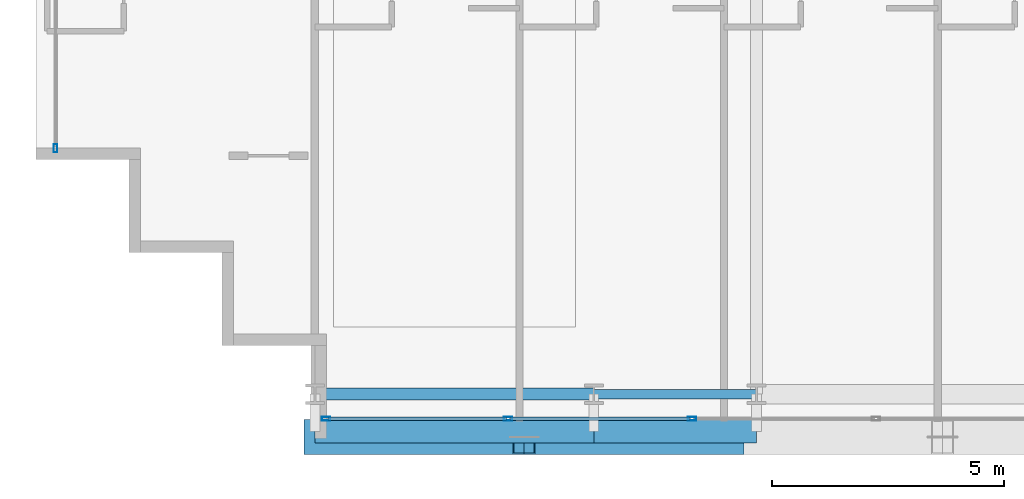
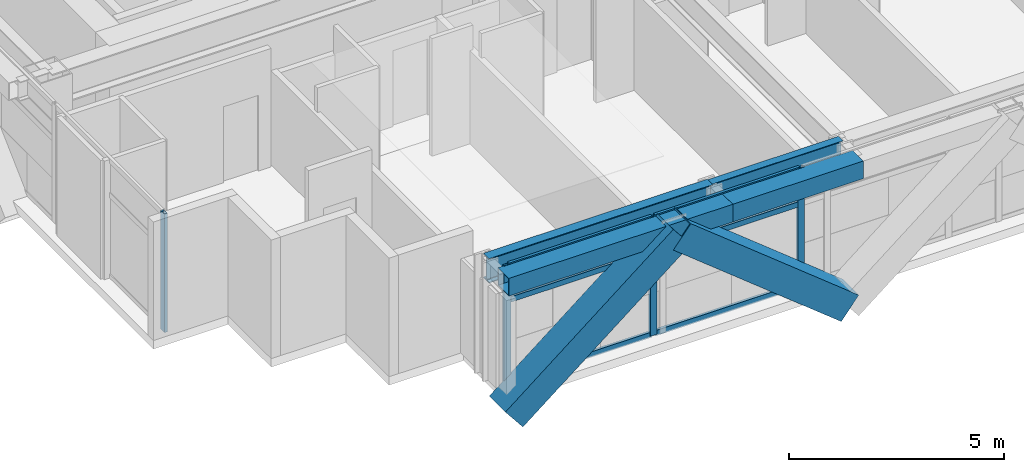
# One storey, part 2 of 36: 12 members, 4 beams, 2 elements without a shape of their own.
"""IFC4 building model written with IfcOpenShell, lengths in metres."""

from ifc_helpers import new_model, si_unit, direction, frame, origin, origin_2d, place, context, subcontext, project, spatial, hollow_rectangle, i_section, extrude, source, transform, mapped, material, layer, layer_set, material_profile, profile_set, type_object, element, aggregate, save


model = new_model("IFC4")

# Units and contexts
model_context = context("Model", 3, precision=1e-05, world=origin(), true_north=direction((0.0, 1.0)))
body_context = subcontext(model_context, "Body", "Model", "MODEL_VIEW")
ifc_project = project(units=[si_unit("LENGTHUNIT", "METRE"), si_unit("AREAUNIT", "SQUARE_METRE"), si_unit("VOLUMEUNIT", "CUBIC_METRE"), si_unit("PLANEANGLEUNIT", "RADIAN"), si_unit("MASSUNIT", "GRAM", prefix="KILO")], contexts=[model_context])

# Site, building, storey
site_placement = place(None, origin())
site = spatial("IfcSite", under=ifc_project, at=site_placement, CompositionType="ELEMENT")
building_placement = place(site_placement, origin())
building = spatial("IfcBuilding", under=site, at=building_placement, Name="Ocotamira Hotel", CompositionType="ELEMENT")
storey_placement = place(building_placement, frame((0.0, 0.0, 97.199951171875)))
storey = spatial("IfcBuildingStorey", under=building, at=storey_placement, Name="L23", CompositionType="ELEMENT", Elevation=97.199951171875)

# Beams
ifc_material_1 = material(Name="Steel ASTM A992 Grade 50", Category="steel")
ifc_material_profile_1 = material_profile(ifc_material_1, i_section(OverallWidth=0.256103515625, OverallDepth=0.693115234375, WebThickness=0.014404296875, FlangeThickness=0.023681640625, FilletRadius=0.01611328125, at=origin_2d()), Name="W27X114")
ifc_profile_set_1 = profile_set([ifc_material_profile_1], Name="Steel ASTM A992 Grade 50")
beam_type_1 = type_object("IfcBeamType", Name="BM-PRIM-W27X114", PredefinedType="BEAM", material=ifc_profile_set_1)
shared_shape_1 = source(origin(), body_context, "Body", "SweptSolid", [
    extrude(i_section(OverallWidth=0.256103515625, OverallDepth=0.693115234375, WebThickness=0.014404296875, FlangeThickness=0.023681640625, FilletRadius=0.01611328125, at=origin_2d()), origin(), (0.0, 0.0, 1.0), 6.0),
])
beam_1_placement = place(storey_placement, frame((14.0, 2.949951171875, 3.013427734375), z_axis=(1.0, 0.0, 0.0), x_axis=(0.0, 1.0, 0.0)))
element("IfcBeam", 1, at=beam_1_placement, inside=storey, type_object=beam_type_1, Name="L23 Girder Y2.95 X14-20", PredefinedType="BEAM", context=body_context, shape_type="MappedRepresentation", body=[
    mapped(shared_shape_1, transform((0.0, 0.0, 0.0), scale=1.0)),
])
ifc_material_profile_2 = material_profile(ifc_material_1, i_section(OverallWidth=0.2099609375, OverallDepth=0.537109375, WebThickness=0.010986328125, FlangeThickness=0.017333984375, FilletRadius=0.012939453125, at=origin_2d()), Name="W21X68")
ifc_profile_set_2 = profile_set([ifc_material_profile_2], Name="Steel ASTM A992 Grade 50")
beam_type_2 = type_object("IfcBeamType", Name="BM-SEC-W21X68", PredefinedType="JOIST", material=ifc_profile_set_2)
shared_shape_2 = source(origin(), body_context, "Body", "SweptSolid", [
    extrude(i_section(OverallWidth=0.2099609375, OverallDepth=0.537109375, WebThickness=0.010986328125, FlangeThickness=0.017333984375, FilletRadius=0.012939453125, at=origin_2d()), origin(), (0.0, 0.0, 1.0), 3.5),
])
beam_2_placement = place(storey_placement, frame((20.0, 2.949951171875, 3.091552734375), z_axis=(1.0, 0.0, 0.0), x_axis=(0.0, 1.0, 0.0)))
element("IfcBeam", 2, at=beam_2_placement, inside=storey, type_object=beam_type_2, Name="L23 Girder Y2.95 X20-23.5", PredefinedType="JOIST", context=body_context, shape_type="MappedRepresentation", body=[
    mapped(shared_shape_2, transform((0.0, 0.0, 0.0), scale=1.0)),
])
ifc_material_2 = material(Name="Steel ASTM A500 Grade C", Category="steel")
ifc_material_profile_3 = material_profile(ifc_material_2, hollow_rectangle(XDim=0.5, YDim=0.5, WallThickness=0.02001953125, at=origin_2d()), Name="HSS500X500X20")
ifc_profile_set_3 = profile_set([ifc_material_profile_3], Name="Steel ASTM A500 Grade C")
beam_type_3 = type_object("IfcBeamType", Name="BM-SPAN-HSS500", PredefinedType="USERDEFINED", material=ifc_profile_set_3)
shared_shape_3 = source(origin(), body_context, "Body", "SweptSolid", [
    extrude(hollow_rectangle(XDim=0.5, YDim=0.5, WallThickness=0.02001953125, at=origin_2d()), origin(), (0.0, 0.0, 1.0), 6.0),
])
beam_3_placement = place(storey_placement, frame((14.0, 2.14990234375, 3.110107421875), z_axis=(1.0, 0.0, 0.0), x_axis=(0.0, 1.0, 0.0)))
element("IfcBeam", 3, at=beam_3_placement, inside=storey, type_object=beam_type_3, Name="L23 Edge Spandrel S X14-20", ObjectType="SPANDREL", PredefinedType="USERDEFINED", context=body_context, shape_type="MappedRepresentation", body=[
    mapped(shared_shape_3, transform((0.0, 0.0, 0.0), scale=1.0)),
])
shared_shape_4 = source(origin(), body_context, "Body", "SweptSolid", [
    extrude(hollow_rectangle(XDim=0.5, YDim=0.5, WallThickness=0.02001953125, at=origin_2d()), origin(), (0.0, 0.0, 1.0), 3.5),
])
beam_4_placement = place(storey_placement, frame((20.0, 2.14990234375, 3.110107421875), z_axis=(1.0, 0.0, 0.0), x_axis=(0.0, 1.0, 0.0)))
element("IfcBeam", 4, at=beam_4_placement, inside=storey, type_object=beam_type_3, Name="L23 Edge Spandrel S X20-23.5", ObjectType="SPANDREL", PredefinedType="USERDEFINED", context=body_context, shape_type="MappedRepresentation", body=[
    mapped(shared_shape_4, transform((0.0, 0.0, 0.0), scale=1.0)),
])

# Members
ifc_material_3 = material(Name="Pale-metal coated steel ASTM A913 Grade 65", Category="steel")
ifc_material_profile_4 = material_profile(ifc_material_3, hollow_rectangle(XDim=0.75, YDim=0.75, WallThickness=0.028076171875, at=origin_2d()), Name="BOX750X750X28")
ifc_profile_set_4 = profile_set([ifc_material_profile_4], Name="Pale-metal coated steel ASTM A913 Grade 65")
member_type_1 = type_object("IfcMemberType", Name="MEM-EXO-BOX750", PredefinedType="BRACE", material=ifc_profile_set_4)
shared_shape_5 = source(origin(), body_context, "Body", "SweptSolid", [
    extrude(hollow_rectangle(XDim=0.75, YDim=0.75, WallThickness=0.028076171875, at=origin_2d()), origin(), (0.0, 0.0, 1.0), 5.762939453125),
])
for number, where, z_axis, x_axis, name in (
    (5, (14.0, 2.030029296875, -0.489990234375), (0.780860543151, 0.0, 0.624705380279), (0.0, 1.0, 0.0), "L23 Exoskeleton Diagrid S0.1"),
    (6, (23.0, 2.030029296875, -0.489990234375), (-0.780860543151, 0.0, 0.624705380279), (0.0, -1.0, 0.0), "L23 Exoskeleton Diagrid S0.2"),
):
    element("IfcMember", number, at=place(storey_placement, frame(where, z_axis=z_axis, x_axis=x_axis)), inside=storey, type_object=member_type_1, Name=name, PredefinedType="BRACE", context=body_context, shape_type="MappedRepresentation", body=[
        mapped(shared_shape_5, transform((0.0, 0.0, 0.0), scale=1.0)),
    ])

# Curtain wall, members
ifc_material_4 = material(Name="Anodised pale-metal aluminium and solar glass", Category="aluminium")
ifc_layer = layer(ifc_material_4, 0.179931640625)
ifc_layer_set = layer_set([ifc_layer], Name="Anodised pale-metal aluminium and solar glass")
curtain_wall_type = type_object("IfcCurtainWallType", Name="CW-SYS3-Z2", PredefinedType="NOTDEFINED", material=ifc_layer_set)
curtain_wall_1_placement = place(storey_placement, origin())
curtain_wall_1 = element("IfcCurtainWall", 7, at=curtain_wall_1_placement, inside=storey, type_object=curtain_wall_type, Name="L23 Curtain Wall CW-3 CW-L23-S1", PredefinedType="NOTDEFINED")
ifc_material_5 = material(Name="Anodised pale-metal aluminium 6063-T6", Category="aluminium")
ifc_material_profile_5 = material_profile(ifc_material_5, hollow_rectangle(XDim=0.074951171875, YDim=0.14990234375, WallThickness=0.006103515625, at=origin_2d()), Name="HSS150X75X6")
ifc_profile_set_5 = profile_set([ifc_material_profile_5], Name="Anodised pale-metal aluminium 6063-T6")
member_type_2 = type_object("IfcMemberType", Name="CWT-150X75", PredefinedType="USERDEFINED", material=ifc_profile_set_5)
shared_shape_6 = source(origin(), body_context, "Body", "SweptSolid", [
    extrude(hollow_rectangle(XDim=0.074951171875, YDim=0.14990234375, WallThickness=0.006103515625, at=origin_2d()), origin(), (0.0, 0.0, 1.0), 3.83544921875),
])
member_1_placement = place(storey_placement, frame((14.280029296875, 2.419921875, 0.03759765625), z_axis=(1.0, 0.0, 0.0), x_axis=(0.0, 1.0, 0.0)))
member_1 = element("IfcMember", 8, at=member_1_placement, type_object=member_type_2, Name="CW-3 transom 1.1", ObjectType="TRANSOM", PredefinedType="USERDEFINED", context=body_context, shape_type="MappedRepresentation", body=[
    mapped(shared_shape_6, transform((0.0, 0.0, 0.0), scale=1.0)),
])
member_2_placement = place(storey_placement, frame((14.280029296875, 2.419921875, 2.35009765625), z_axis=(1.0, 0.0, 0.0), x_axis=(0.0, 1.0, 0.0)))
member_2 = element("IfcMember", 9, at=member_2_placement, type_object=member_type_2, Name="CW-3 transom 1.2", ObjectType="TRANSOM", PredefinedType="USERDEFINED", context=body_context, shape_type="MappedRepresentation", body=[
    mapped(shared_shape_6, transform((0.0, 0.0, 0.0), scale=1.0)),
])
member_3_placement = place(storey_placement, frame((14.280029296875, 2.419921875, 3.322509765625), z_axis=(1.0, 0.0, 0.0), x_axis=(0.0, 1.0, 0.0)))
member_3 = element("IfcMember", 10, at=member_3_placement, type_object=member_type_2, Name="CW-3 transom 1.3", ObjectType="TRANSOM", PredefinedType="USERDEFINED", context=body_context, shape_type="MappedRepresentation", body=[
    mapped(shared_shape_6, transform((0.0, 0.0, 0.0), scale=1.0)),
])
shared_shape_7 = source(origin(), body_context, "Body", "SweptSolid", [
    extrude(hollow_rectangle(XDim=0.074951171875, YDim=0.14990234375, WallThickness=0.006103515625, at=origin_2d()), origin(), (0.0, 0.0, 1.0), 3.87548828125),
])
member_4_placement = place(storey_placement, frame((18.195556640625, 2.419921875, 0.03759765625), z_axis=(1.0, 0.0, 0.0), x_axis=(0.0, 1.0, 0.0)))
member_4 = element("IfcMember", 11, at=member_4_placement, type_object=member_type_2, Name="CW-3 transom 2.1", ObjectType="TRANSOM", PredefinedType="USERDEFINED", context=body_context, shape_type="MappedRepresentation", body=[
    mapped(shared_shape_7, transform((0.0, 0.0, 0.0), scale=1.0)),
])
member_5_placement = place(storey_placement, frame((18.195556640625, 2.419921875, 2.35009765625), z_axis=(1.0, 0.0, 0.0), x_axis=(0.0, 1.0, 0.0)))
member_5 = element("IfcMember", 12, at=member_5_placement, type_object=member_type_2, Name="CW-3 transom 2.2", ObjectType="TRANSOM", PredefinedType="USERDEFINED", context=body_context, shape_type="MappedRepresentation", body=[
    mapped(shared_shape_7, transform((0.0, 0.0, 0.0), scale=1.0)),
])
member_6_placement = place(storey_placement, frame((18.195556640625, 2.419921875, 3.322509765625), z_axis=(1.0, 0.0, 0.0), x_axis=(0.0, 1.0, 0.0)))
member_6 = element("IfcMember", 13, at=member_6_placement, type_object=member_type_2, Name="CW-3 transom 2.3", ObjectType="TRANSOM", PredefinedType="USERDEFINED", context=body_context, shape_type="MappedRepresentation", body=[
    mapped(shared_shape_7, transform((0.0, 0.0, 0.0), scale=1.0)),
])
ifc_material_profile_6 = material_profile(ifc_material_5, hollow_rectangle(XDim=0.080078125, YDim=0.179931640625, WallThickness=0.006103515625, at=origin_2d()), Name="HSS180X80X6")
ifc_profile_set_6 = profile_set([ifc_material_profile_6], Name="Anodised pale-metal aluminium 6063-T6")
member_type_3 = type_object("IfcMemberType", Name="CWM-180X75", PredefinedType="MULLION", material=ifc_profile_set_6)
shared_shape_8 = source(origin(), body_context, "Body", "SweptSolid", [
    extrude(hollow_rectangle(XDim=0.080078125, YDim=0.179931640625, WallThickness=0.006103515625, at=origin_2d()), origin(), (0.0, 0.0, 1.0), 3.360107421875),
])
member_7_placement = place(storey_placement, frame((14.239990234375, 2.419921875, 0.0), z_axis=(0.0, 0.0, 1.0), x_axis=(0.0, 1.0, 0.0)))
member_7 = element("IfcMember", 14, at=member_7_placement, type_object=member_type_3, Name="CW-3 mullion 1", PredefinedType="MULLION", context=body_context, shape_type="MappedRepresentation", body=[
    mapped(shared_shape_8, transform((0.0, 0.0, 0.0), scale=1.0)),
])
member_8_placement = place(storey_placement, frame((18.155517578125, 2.419921875, 0.0), z_axis=(0.0, 0.0, 1.0), x_axis=(0.0, 1.0, 0.0)))
member_8 = element("IfcMember", 15, at=member_8_placement, type_object=member_type_3, Name="CW-3 mullion 2", PredefinedType="MULLION", context=body_context, shape_type="MappedRepresentation", body=[
    mapped(shared_shape_8, transform((0.0, 0.0, 0.0), scale=1.0)),
])
member_9_placement = place(storey_placement, frame((22.111083984375, 2.419921875, 0.0), z_axis=(0.0, 0.0, 1.0), x_axis=(0.0, 1.0, 0.0)))
member_9 = element("IfcMember", 16, at=member_9_placement, type_object=member_type_3, Name="CW-3 mullion 3", PredefinedType="MULLION", context=body_context, shape_type="MappedRepresentation", body=[
    mapped(shared_shape_8, transform((0.0, 0.0, 0.0), scale=1.0)),
])
aggregate(curtain_wall_1, [member_7, member_8, member_9, member_1, member_2, member_3, member_4, member_5, member_6])

# Curtain wall, member
curtain_wall_2_placement = place(storey_placement, origin())
curtain_wall_2 = element("IfcCurtainWall", 17, at=curtain_wall_2_placement, inside=storey, type_object=curtain_wall_type, Name="L23 Curtain Wall CW-3 CW-L23-W", PredefinedType="NOTDEFINED")
member_10_placement = place(storey_placement, frame((8.419921875, 8.239990234375, 0.0), z_axis=(0.0, 0.0, 1.0), x_axis=(-1.0, 0.0, 0.0)))
member_10 = element("IfcMember", 18, at=member_10_placement, type_object=member_type_3, Name="CW-3 mullion 1", PredefinedType="MULLION", context=body_context, shape_type="MappedRepresentation", body=[
    mapped(shared_shape_8, transform((0.0, 0.0, 0.0), scale=1.0)),
])
aggregate(curtain_wall_2, [member_10])

save(model, "model.ifc")
